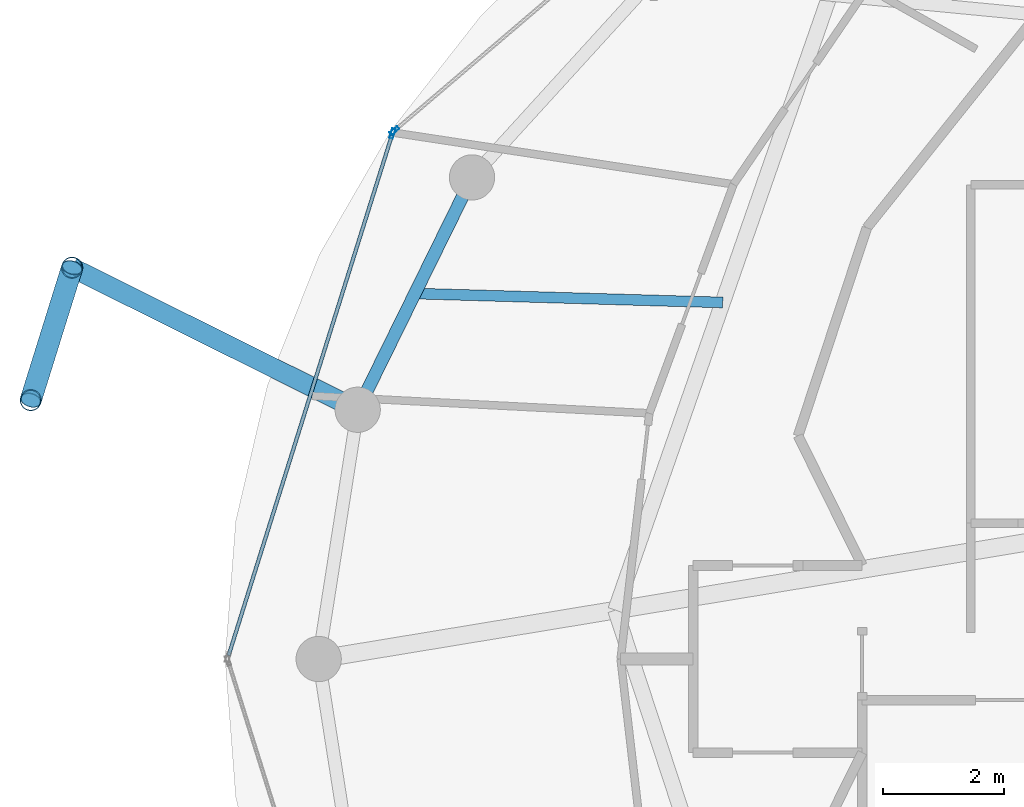
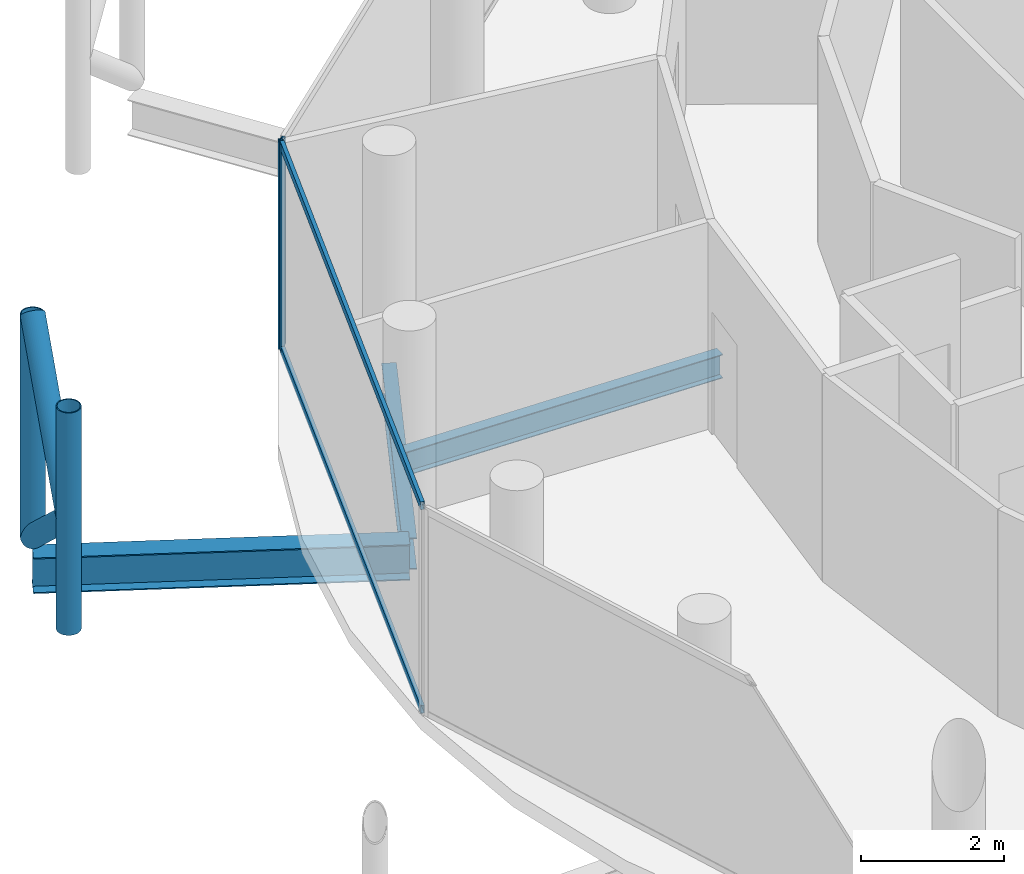
# One storey, part 7 of 24: 8 members, 3 beams, 2 elements without a shape of their own.
"""IFC4 building model written with IfcOpenShell, lengths in metres."""

from ifc_helpers import new_model, si_unit, direction, frame, origin, origin_2d, place, context, subcontext, project, spatial, hollow_rectangle, hollow_circle, i_section, extrude, material, layer, layer_set, material_profile, profile_set, type_object, element, aggregate, save


model = new_model("IFC4")

# Units and contexts
model_context = context("Model", 3, precision=1e-05, world=origin(), true_north=direction((0.0, 1.0)))
body_context = subcontext(model_context, "Body", "Model", "MODEL_VIEW")
ifc_project = project(units=[si_unit("LENGTHUNIT", "METRE"), si_unit("AREAUNIT", "SQUARE_METRE"), si_unit("VOLUMEUNIT", "CUBIC_METRE"), si_unit("PLANEANGLEUNIT", "RADIAN"), si_unit("MASSUNIT", "GRAM", prefix="KILO")], contexts=[model_context])

# Site, building, storey
site_placement = place(None, origin())
site = spatial("IfcSite", under=ifc_project, at=site_placement, CompositionType="ELEMENT")
building_placement = place(site_placement, origin())
building = spatial("IfcBuilding", under=site, at=building_placement, Name="Nuhasar Tower", CompositionType="ELEMENT")
storey_placement = place(building_placement, frame((0.0, 0.0, 282.199951171875)))
storey = spatial("IfcBuildingStorey", under=building, at=storey_placement, Name="L70", CompositionType="ELEMENT", Elevation=282.199951171875)

# Beams
ifc_material_1 = material(Name="Steel S355", Category="steel")
ifc_material_profile_1 = material_profile(ifc_material_1, i_section(OverallWidth=0.177978515625, OverallDepth=0.406005859375, WebThickness=0.0078125, FlangeThickness=0.0126953125, at=origin_2d()), Name="W16X40")
ifc_profile_set_1 = profile_set([ifc_material_profile_1], Name="Steel S355")
beam_type_1 = type_object("IfcBeamType", Name="BM-JST-W16X40", PredefinedType="JOIST", material=ifc_profile_set_1)
beam_1_placement = place(storey_placement, frame((26.739990234375, 32.7041015625, -0.462890625), z_axis=(-0.999579139243, 0.02900938453, 0.0), x_axis=(-0.02900938453, -0.999579139243, 0.0)))
element("IfcBeam", 1, at=beam_1_placement, inside=storey, type_object=beam_type_1, Name="L70 Secondary Floor Joist 07", PredefinedType="JOIST", context=body_context, shape_type="SweptSolid", body=[
    extrude(i_section(OverallWidth=0.177978515625, OverallDepth=0.406005859375, WebThickness=0.0078125, FlangeThickness=0.0126953125, at=origin_2d()), origin(), (0.0, 0.0, 1.0), 5.10009765625),
])
ifc_material_profile_2 = material_profile(ifc_material_1, i_section(OverallWidth=0.2099609375, OverallDepth=0.537109375, WebThickness=0.010986328125, FlangeThickness=0.017333984375, at=origin_2d()), Name="W21X68")
ifc_profile_set_2 = profile_set([ifc_material_profile_2], Name="Steel S355")
beam_type_2 = type_object("IfcBeamType", Name="BM-RING-W21X68", PredefinedType="SPANDREL", material=ifc_profile_set_2)
beam_2_placement = place(storey_placement, frame((22.589111328125, 34.77490234375, -0.529052734375), z_axis=(-0.441533119295, -0.897244952377, 0.0), x_axis=(0.897244952377, -0.441533119295, 0.0)))
element("IfcBeam", 2, at=beam_2_placement, inside=storey, type_object=beam_type_2, Name="L70 Perimeter Ring Spandrel 11", PredefinedType="SPANDREL", context=body_context, shape_type="SweptSolid", body=[
    extrude(i_section(OverallWidth=0.2099609375, OverallDepth=0.537109375, WebThickness=0.010986328125, FlangeThickness=0.017333984375, at=origin_2d()), origin(), (0.0, 0.0, 1.0), 4.28759765625),
])
ifc_material_profile_3 = material_profile(ifc_material_1, i_section(OverallWidth=0.323974609375, OverallDepth=0.611083984375, WebThickness=0.0126953125, FlangeThickness=0.01904296875, at=origin_2d()), Name="W24X104")
ifc_profile_set_3 = profile_set([ifc_material_profile_3], Name="Steel S355")
beam_type_3 = type_object("IfcBeamType", Name="BM-TIE-W24X104", PredefinedType="BEAM", material=ifc_profile_set_3)
beam_3_placement = place(storey_placement, frame((20.696044921875, 30.927978515625, -0.56494140625), z_axis=(-0.895294451274, 0.445474853969, 0.0), x_axis=(-0.445474853969, -0.895294451274, 0.0)))
element("IfcBeam", 3, at=beam_3_placement, inside=storey, type_object=beam_type_3, Name="L70 Exoskeleton Node Tie Beam 06", PredefinedType="BEAM", context=body_context, shape_type="SweptSolid", body=[
    extrude(i_section(OverallWidth=0.323974609375, OverallDepth=0.611083984375, WebThickness=0.0126953125, FlangeThickness=0.01904296875, at=origin_2d()), origin(), (0.0, 0.0, 1.0), 5.281982421875),
])

# Curtain wall, member
ifc_material_2 = material(Name="Aluminium 6063-T6", Category="aluminium")
ifc_layer = layer(ifc_material_2, 0.18994140625)
ifc_layer_set = layer_set([ifc_layer], Name="Aluminium 6063-T6")
curtain_wall_type = type_object("IfcCurtainWallType", Name="CW-Z4-PEN", PredefinedType="NOTDEFINED", material=ifc_layer_set)
curtain_wall_1_placement = place(storey_placement, origin())
curtain_wall_1 = element("IfcCurtainWall", 4, at=curtain_wall_1_placement, inside=storey, type_object=curtain_wall_type, Name="L70 Unitised Curtain Wall 05", PredefinedType="NOTDEFINED")
ifc_material_profile_4 = material_profile(ifc_material_2, hollow_rectangle(XDim=0.06005859375, YDim=0.1650390625, WallThickness=0.0048828125, at=origin_2d()), Name="CWM-5")
ifc_profile_set_4 = profile_set([ifc_material_profile_4], Name="Aluminium 6063-T6")
member_type_1 = type_object("IfcMemberType", Name="CW-MUL-S5", PredefinedType="MULLION", material=ifc_profile_set_4)
member_1_placement = place(storey_placement, frame((21.3037109375, 35.549560546875, 0.0), z_axis=(0.0, 0.0, 1.0), x_axis=(0.649141996205, -0.760667252327, 0.0)))
member_1 = element("IfcMember", 5, at=member_1_placement, type_object=member_type_1, Name="CW-Z4 mullion 2", PredefinedType="MULLION", context=body_context, shape_type="SweptSolid", body=[
    extrude(hollow_rectangle(XDim=0.06005859375, YDim=0.1650390625, WallThickness=0.0048828125, at=origin_2d()), origin(), (0.0, 0.0, 1.0), 3.5400390625),
])
aggregate(curtain_wall_1, [member_1])

# Curtain wall, members
curtain_wall_2_placement = place(storey_placement, origin())
curtain_wall_2 = element("IfcCurtainWall", 6, at=curtain_wall_2_placement, inside=storey, type_object=curtain_wall_type, Name="L70 Unitised Curtain Wall 06", PredefinedType="NOTDEFINED")
member_2_placement = place(storey_placement, frame((21.27197265625, 35.50146484375, 0.0), z_axis=(0.0, 0.0, 1.0), x_axis=(0.954078526601, -0.299556614146, 0.0)))
member_2 = element("IfcMember", 7, at=member_2_placement, type_object=member_type_1, Name="CW-Z4 mullion 1", PredefinedType="MULLION", context=body_context, shape_type="SweptSolid", body=[
    extrude(hollow_rectangle(XDim=0.06005859375, YDim=0.1650390625, WallThickness=0.0048828125, at=origin_2d()), origin(), (0.0, 0.0, 1.0), 3.5400390625),
])
ifc_material_profile_5 = material_profile(ifc_material_2, hollow_rectangle(XDim=0.06005859375, YDim=0.135009765625, WallThickness=0.00439453125, at=origin_2d()), Name="CWT-5")
ifc_profile_set_5 = profile_set([ifc_material_profile_5], Name="Aluminium 6063-T6")
member_type_2 = type_object("IfcMemberType", Name="CW-TRN-S5", PredefinedType="USERDEFINED", material=ifc_profile_set_5)
member_3_placement = place(storey_placement, frame((21.262939453125, 35.47265625, 0.030029296875), z_axis=(-0.29956014073, -0.954077419335, 0.0), x_axis=(0.954077419335, -0.29956014073, 0.0)))
member_3 = element("IfcMember", 8, at=member_3_placement, type_object=member_type_2, Name="CW-Z4 transom 1.1", ObjectType="TRANSOM", PredefinedType="USERDEFINED", context=body_context, shape_type="SweptSolid", body=[
    extrude(hollow_rectangle(XDim=0.06005859375, YDim=0.135009765625, WallThickness=0.00439453125, at=origin_2d()), origin(), (0.0, 0.0, 1.0), 9.0302734375),
])
member_4_placement = place(storey_placement, frame((21.262939453125, 35.47265625, 3.510009765625), z_axis=(-0.29956014073, -0.954077419335, 0.0), x_axis=(0.954077419335, -0.29956014073, 0.0)))
member_4 = element("IfcMember", 9, at=member_4_placement, type_object=member_type_2, Name="CW-Z4 transom 1.2", ObjectType="TRANSOM", PredefinedType="USERDEFINED", context=body_context, shape_type="SweptSolid", body=[
    extrude(hollow_rectangle(XDim=0.06005859375, YDim=0.135009765625, WallThickness=0.00439453125, at=origin_2d()), origin(), (0.0, 0.0, 1.0), 9.0302734375),
])
aggregate(curtain_wall_2, [member_2, member_3, member_4])

# Members
ifc_material_3 = material(Name="Steel S460", Category="steel")
ifc_material_profile_6 = material_profile(ifc_material_3, hollow_circle(Radius=0.177734375, WallThickness=0.015869140625, at=origin_2d()), Name="HSS355.6X15.9")
ifc_profile_set_6 = profile_set([ifc_material_profile_6], Name="Steel S460")
member_type_3 = type_object("IfcMemberType", Name="EXO-BRONZE-356", PredefinedType="BRACE", material=ifc_profile_set_6)
for number, where, z_axis, x_axis, name in (
    (10, (15.967041015625, 33.281005859375, 0.0), (0.0, 0.0, 1.0), (1.0, 0.0, 0.0), "L70 Exoskeleton Chord Column EC-06A"),
    (11, (15.281982421875, 31.0859375, 0.0), (0.0, 0.0, 1.0), (1.0, 0.0, 0.0), "L70 Exoskeleton Chord Column EC-06B"),
):
    element("IfcMember", number, at=place(storey_placement, frame(where, z_axis=z_axis, x_axis=x_axis)), inside=storey, type_object=member_type_3, Name=name, PredefinedType="BRACE", context=body_context, shape_type="SweptSolid", body=[
        extrude(hollow_circle(Radius=0.177734375, WallThickness=0.015869140625, at=origin_2d()), origin(), (0.0, 0.0, 1.0), 3.800048828125),
    ])
for number, where, z_axis, x_axis, name in (
    (12, (15.967041015625, 33.281005859375, 0.0), (-0.22965555433, -0.735863538482, 0.636995430987), (0.954591372974, -0.297918295247, 0.0), "L70 Bronze Diagrid Brace W1-06"),
    (13, (15.281982421875, 31.0859375, 1.900146484375), (0.229667527485, 0.735901902929, 0.636946792192), (-0.954591372974, 0.297918295247, 0.0), "L70 Bronze Diagrid Brace W2-06"),
):
    element("IfcMember", number, at=place(storey_placement, frame(where, z_axis=z_axis, x_axis=x_axis)), inside=storey, type_object=member_type_3, Name=name, PredefinedType="BRACE", context=body_context, shape_type="SweptSolid", body=[
        extrude(hollow_circle(Radius=0.177734375, WallThickness=0.015869140625, at=origin_2d()), origin(), (0.0, 0.0, 1.0), 2.98291015625),
    ])

save(model, "model.ifc")
